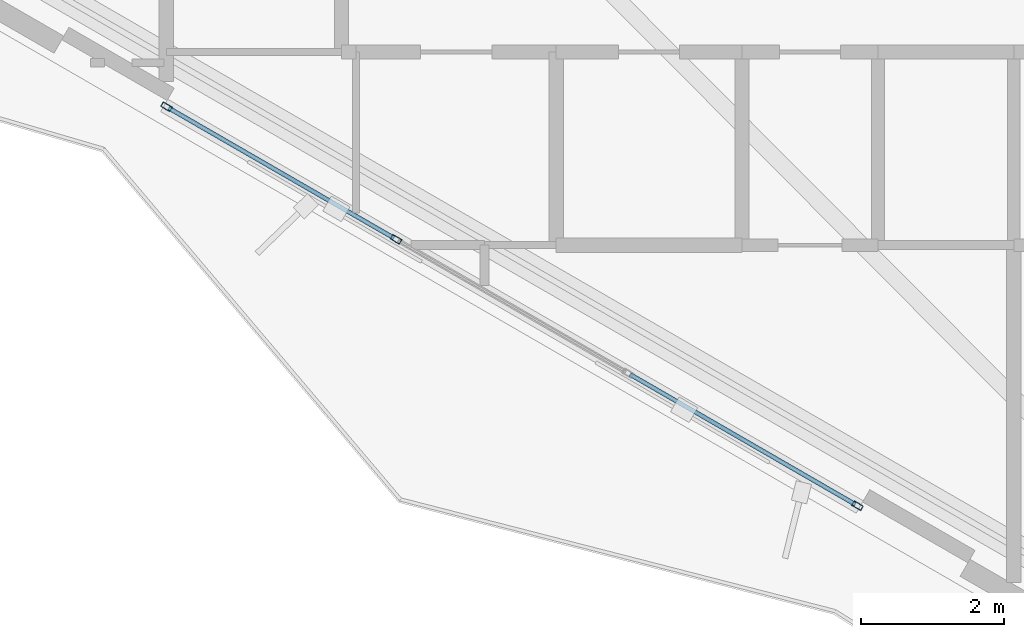
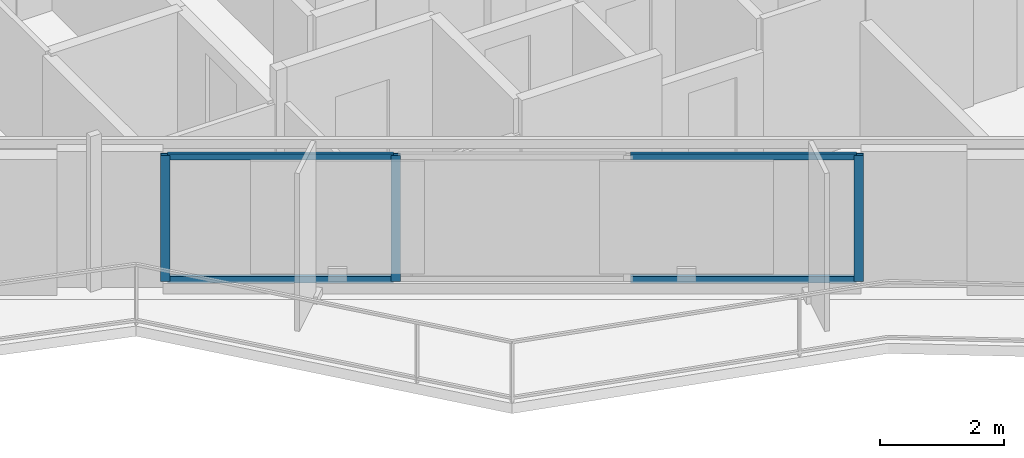
# One storey, part 2 of 22: 7 members, 1 element without a shape of its own.
"""IFC4 building model written with IfcOpenShell, lengths in metres."""

from ifc_helpers import new_model, si_unit, direction, frame, origin, origin_2d, place, context, subcontext, project, spatial, hollow_rectangle, extrude, material, layer, layer_set, material_profile, profile_set, type_object, element, aggregate, save


model = new_model("IFC4")

# Units and contexts
model_context = context("Model", 3, precision=1e-05, world=origin(), true_north=direction((0.0, 1.0)))
body_context = subcontext(model_context, "Body", "Model", "MODEL_VIEW")
ifc_project = project(units=[si_unit("LENGTHUNIT", "METRE"), si_unit("AREAUNIT", "SQUARE_METRE"), si_unit("VOLUMEUNIT", "CUBIC_METRE"), si_unit("PLANEANGLEUNIT", "RADIAN"), si_unit("MASSUNIT", "GRAM", prefix="KILO")], contexts=[model_context])

# Site, building, storey
site_placement = place(None, origin())
site = spatial("IfcSite", under=ifc_project, at=site_placement, CompositionType="ELEMENT")
building_placement = place(site_placement, origin())
building = spatial("IfcBuilding", under=site, at=building_placement, Name="Mersakhor Tower and Convention Hall", CompositionType="ELEMENT")
storey_placement = place(building_placement, frame((0.0, 0.0, 76.800048828125)))
storey = spatial("IfcBuildingStorey", under=building, at=storey_placement, Name="L20", CompositionType="ELEMENT", Elevation=76.800048828125)

# Curtain wall, members
ifc_material_1 = material(Name="Dark solar low-E aluminium curtain wall", Category="aluminium")
ifc_layer = layer(ifc_material_1, 0.159912109375)
ifc_layer_set = layer_set([ifc_layer], Name="Dark solar low-E aluminium curtain wall")
curtain_wall_type = type_object("IfcCurtainWallType", Name="CW-SYS-01", PredefinedType="USERDEFINED", material=ifc_layer_set)
curtain_wall_placement = place(storey_placement, origin())
curtain_wall = element("IfcCurtainWall", 1, at=curtain_wall_placement, inside=storey, type_object=curtain_wall_type, Name="L20 Dark-Glass Curtain Wall F3-B2", ObjectType="CURTAIN WALL", PredefinedType="USERDEFINED")
ifc_material_2 = material(Name="Anodised aluminium EN AW-6063 T6", Category="aluminium")
ifc_material_profile_1 = material_profile(ifc_material_2, hollow_rectangle(XDim=0.074951171875, YDim=0.14990234375, WallThickness=0.00634765625, at=origin_2d()), Name="RHS 150x75x6.3")
ifc_profile_set_1 = profile_set([ifc_material_profile_1], Name="Anodised aluminium EN AW-6063 T6")
member_type_1 = type_object("IfcMemberType", Name="CWM-150x75", PredefinedType="MULLION", material=ifc_profile_set_1)
member_1_placement = place(storey_placement, frame((26.812744140625, 11.80712890625, 0.199951171875), z_axis=(0.0, 0.0, 1.0), x_axis=(-0.499997904985, -0.866026613339, 0.0)))
member_1 = element("IfcMember", 2, at=member_1_placement, type_object=member_type_1, Name="CW-01 mullion 1", PredefinedType="MULLION", context=body_context, shape_type="SweptSolid", body=[
    extrude(hollow_rectangle(XDim=0.074951171875, YDim=0.14990234375, WallThickness=0.00634765625, at=origin_2d()), origin(), (0.0, 0.0, 1.0), 2.469970703125),
])
member_2_placement = place(storey_placement, frame((20.36181640625, 15.531494140625, 0.199951171875), z_axis=(0.0, 0.0, 1.0), x_axis=(-0.499997904985, -0.866026613339, 0.0)))
member_2 = element("IfcMember", 3, at=member_2_placement, type_object=member_type_1, Name="CW-01 mullion 3", PredefinedType="MULLION", context=body_context, shape_type="SweptSolid", body=[
    extrude(hollow_rectangle(XDim=0.074951171875, YDim=0.14990234375, WallThickness=0.00634765625, at=origin_2d()), origin(), (0.0, 0.0, 1.0), 2.469970703125),
])
member_3_placement = place(storey_placement, frame((17.152587890625, 17.38427734375, 0.199951171875), z_axis=(0.0, 0.0, 1.0), x_axis=(-0.499997904985, -0.866026613339, 0.0)))
member_3 = element("IfcMember", 4, at=member_3_placement, type_object=member_type_1, Name="CW-01 mullion 4", PredefinedType="MULLION", context=body_context, shape_type="SweptSolid", body=[
    extrude(hollow_rectangle(XDim=0.074951171875, YDim=0.14990234375, WallThickness=0.00634765625, at=origin_2d()), origin(), (0.0, 0.0, 1.0), 2.469970703125),
])
ifc_material_3 = material(Name="Anodised aluminium EN AW-6063 T6", Category="aluminium")
ifc_material_profile_2 = material_profile(ifc_material_3, hollow_rectangle(XDim=0.06005859375, YDim=0.1201171875, WallThickness=0.0048828125, at=origin_2d()), Name="RHS 120x60x5")
ifc_profile_set_2 = profile_set([ifc_material_profile_2], Name="Anodised aluminium EN AW-6063 T6")
member_type_2 = type_object("IfcMemberType", Name="CWT-120x60", PredefinedType="USERDEFINED", material=ifc_profile_set_2)
member_4_placement = place(storey_placement, frame((26.7802734375, 11.82568359375, 0.22998046875), z_axis=(-0.866016497289, 0.500015426185, 0.0), x_axis=(-0.500015426185, -0.866016497289, 0.0)))
member_4 = element("IfcMember", 5, at=member_4_placement, type_object=member_type_2, Name="CW-01 transom 1.1", ObjectType="TRANSOM", PredefinedType="USERDEFINED", context=body_context, shape_type="SweptSolid", body=[
    extrude(hollow_rectangle(XDim=0.06005859375, YDim=0.1201171875, WallThickness=0.0048828125, at=origin_2d()), origin(), (0.0, 0.0, 1.0), 3.630859375),
])
member_5_placement = place(storey_placement, frame((26.7802734375, 11.82568359375, 2.639892578125), z_axis=(-0.866016497289, 0.500015426185, 0.0), x_axis=(-0.500015426185, -0.866016497289, 0.0)))
member_5 = element("IfcMember", 6, at=member_5_placement, type_object=member_type_2, Name="CW-01 transom 1.2", ObjectType="TRANSOM", PredefinedType="USERDEFINED", context=body_context, shape_type="SweptSolid", body=[
    extrude(hollow_rectangle(XDim=0.06005859375, YDim=0.1201171875, WallThickness=0.0048828125, at=origin_2d()), origin(), (0.0, 0.0, 1.0), 3.630859375),
])
member_6_placement = place(storey_placement, frame((20.329345703125, 15.55029296875, 0.22998046875), z_axis=(-0.866045614266, 0.499964992784, 0.0), x_axis=(-0.499964992784, -0.866045614266, 0.0)))
member_6 = element("IfcMember", 7, at=member_6_placement, type_object=member_type_2, Name="CW-01 transom 3.1", ObjectType="TRANSOM", PredefinedType="USERDEFINED", context=body_context, shape_type="SweptSolid", body=[
    extrude(hollow_rectangle(XDim=0.06005859375, YDim=0.1201171875, WallThickness=0.0048828125, at=origin_2d()), origin(), (0.0, 0.0, 1.0), 3.630615234375),
])
member_7_placement = place(storey_placement, frame((20.329345703125, 15.55029296875, 2.639892578125), z_axis=(-0.866045614266, 0.499964992784, 0.0), x_axis=(-0.499964992784, -0.866045614266, 0.0)))
member_7 = element("IfcMember", 8, at=member_7_placement, type_object=member_type_2, Name="CW-01 transom 3.2", ObjectType="TRANSOM", PredefinedType="USERDEFINED", context=body_context, shape_type="SweptSolid", body=[
    extrude(hollow_rectangle(XDim=0.06005859375, YDim=0.1201171875, WallThickness=0.0048828125, at=origin_2d()), origin(), (0.0, 0.0, 1.0), 3.630615234375),
])
aggregate(curtain_wall, [member_1, member_2, member_3, member_4, member_5, member_6, member_7])

save(model, "model.ifc")
